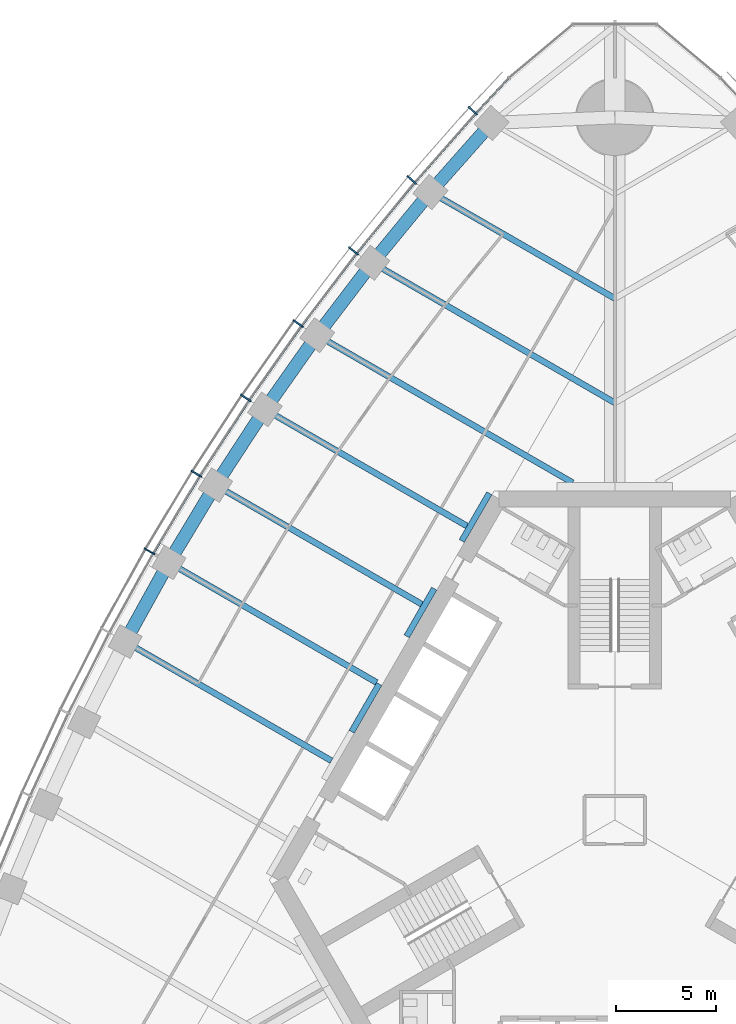
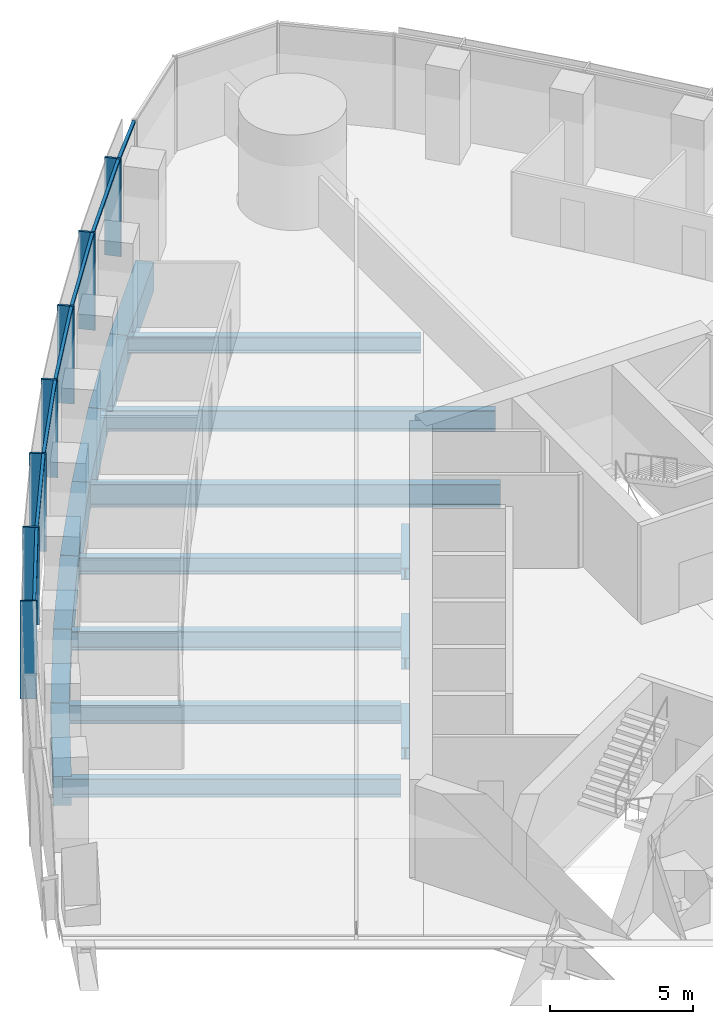
# One storey, part 4 of 21: 17 beams, 14 members, 1 element without a shape of its own.
"""IFC4 building model written with IfcOpenShell, lengths in metres."""

from ifc_helpers import new_model, si_unit, direction, frame, origin, origin_2d, place, context, subcontext, project, spatial, rectangle, i_section, extrude, material, material_profile, profile_set, type_object, element, aggregate, save


model = new_model("IFC4")

# Units and contexts
model_context = context("Model", 3, precision=1e-05, world=origin(), true_north=direction((0.0, 1.0)))
body_context = subcontext(model_context, "Body", "Model", "MODEL_VIEW")
ifc_project = project(units=[si_unit("LENGTHUNIT", "METRE"), si_unit("AREAUNIT", "SQUARE_METRE"), si_unit("VOLUMEUNIT", "CUBIC_METRE"), si_unit("PLANEANGLEUNIT", "RADIAN"), si_unit("MASSUNIT", "GRAM", prefix="KILO")], contexts=[model_context])

# Site, building, storey
site_placement = place(None, origin())
site = spatial("IfcSite", under=ifc_project, at=site_placement, CompositionType="ELEMENT")
building_placement = place(site_placement, origin())
building = spatial("IfcBuilding", under=site, at=building_placement, Name="Trefoil Bronze Tower", CompositionType="ELEMENT")
storey_placement = place(building_placement, frame((0.0, 0.0, 153.5)))
storey = spatial("IfcBuildingStorey", under=building, at=storey_placement, Name="L35", CompositionType="ELEMENT", Elevation=153.5)

# Curtain wall, members
ifc_material_1 = material(Name="Tinted solar-control glass", Category="glass")
curtain_wall_type = type_object("IfcCurtainWallType", Name="Bronze office curtain wall", PredefinedType="USERDEFINED", material=ifc_material_1)
curtain_wall_placement = place(storey_placement, origin())
curtain_wall = element("IfcCurtainWall", 1, at=curtain_wall_placement, inside=storey, type_object=curtain_wall_type, Name="CW-A L35 F3", ObjectType="CURTAIN WALL", PredefinedType="USERDEFINED")
ifc_material_2 = material(Name="Bronze-finish aluminium", Category="aluminium")
ifc_material_profile_1 = material_profile(ifc_material_2, rectangle(XDim=0.60009765625, YDim=0.080078125, at=origin_2d()), Name="CW-A mullion")
ifc_profile_set_1 = profile_set([ifc_material_profile_1], Name="Bronze-finish aluminium")
member_type_1 = type_object("IfcMemberType", Name="Bronze office curtain wall mullion", PredefinedType="MULLION", material=ifc_profile_set_1)
member_1_placement = place(storey_placement, frame((-7.070068359375, 35.332275390625, 0.0), z_axis=(0.0, 0.0, 1.0), x_axis=(0.740360700327, -0.672209813534, 0.0)))
member_1 = element("IfcMember", 2, at=member_1_placement, type_object=member_type_1, Name="CW-A L35 F3 mullion 2", PredefinedType="MULLION", context=body_context, shape_type="SweptSolid", body=[
    extrude(rectangle(XDim=0.60009765625, YDim=0.080078125, at=origin_2d()), origin(), (0.0, 0.0, 1.0), 4.179931640625),
])
member_2_placement = place(storey_placement, frame((-10.11474609375, 31.8828125, 0.0), z_axis=(0.0, 0.0, 1.0), x_axis=(0.761721651066, -0.647904411389, 0.0)))
member_2 = element("IfcMember", 3, at=member_2_placement, type_object=member_type_1, Name="CW-A L35 F3 mullion 3", PredefinedType="MULLION", context=body_context, shape_type="SweptSolid", body=[
    extrude(rectangle(XDim=0.60009765625, YDim=0.080078125, at=origin_2d()), origin(), (0.0, 0.0, 1.0), 4.179931640625),
])
member_3_placement = place(storey_placement, frame((-13.01220703125, 28.34716796875, 0.0), z_axis=(0.0, 0.0, 1.0), x_axis=(0.78487913905, -0.619648882098, 0.0)))
member_3 = element("IfcMember", 4, at=member_3_placement, type_object=member_type_1, Name="CW-A L35 F3 mullion 4", PredefinedType="MULLION", context=body_context, shape_type="SweptSolid", body=[
    extrude(rectangle(XDim=0.60009765625, YDim=0.080078125, at=origin_2d()), origin(), (0.0, 0.0, 1.0), 4.179931640625),
])
member_4_placement = place(storey_placement, frame((-15.764404296875, 24.7275390625, 0.0), z_axis=(0.0, 0.0, 1.0), x_axis=(0.806874522901, -0.590722865897, 0.0)))
member_4 = element("IfcMember", 5, at=member_4_placement, type_object=member_type_1, Name="CW-A L35 F3 mullion 5", PredefinedType="MULLION", context=body_context, shape_type="SweptSolid", body=[
    extrude(rectangle(XDim=0.60009765625, YDim=0.080078125, at=origin_2d()), origin(), (0.0, 0.0, 1.0), 4.179931640625),
])
member_5_placement = place(storey_placement, frame((-18.373046875, 21.025146484375, 0.0), z_axis=(0.0, 0.0, 1.0), x_axis=(0.827723925749, -0.561135547566, 0.0)))
member_5 = element("IfcMember", 6, at=member_5_placement, type_object=member_type_1, Name="CW-A L35 F3 mullion 6", PredefinedType="MULLION", context=body_context, shape_type="SweptSolid", body=[
    extrude(rectangle(XDim=0.60009765625, YDim=0.080078125, at=origin_2d()), origin(), (0.0, 0.0, 1.0), 4.179931640625),
])
member_6_placement = place(storey_placement, frame((-20.840087890625, 17.24072265625, 0.0), z_axis=(0.0, 0.0, 1.0), x_axis=(0.84743864936, -0.530893337283, 0.0)))
member_6 = element("IfcMember", 7, at=member_6_placement, type_object=member_type_1, Name="CW-A L35 F3 mullion 7", PredefinedType="MULLION", context=body_context, shape_type="SweptSolid", body=[
    extrude(rectangle(XDim=0.60009765625, YDim=0.080078125, at=origin_2d()), origin(), (0.0, 0.0, 1.0), 4.179931640625),
])
member_7_placement = place(storey_placement, frame((-23.166015625, 13.374755859375, 0.0), z_axis=(0.0, 0.0, 1.0), x_axis=(0.866025403784, -0.5, 0.0)))
member_7 = element("IfcMember", 8, at=member_7_placement, type_object=member_type_1, Name="CW-A L35 F3 mullion 8", PredefinedType="MULLION", context=body_context, shape_type="SweptSolid", body=[
    extrude(rectangle(XDim=0.60009765625, YDim=0.080078125, at=origin_2d()), origin(), (0.0, 0.0, 1.0), 4.179931640625),
])
ifc_material_3 = material(Name="Bronze-finish aluminium", Category="aluminium")
ifc_material_profile_2 = material_profile(ifc_material_3, rectangle(XDim=0.1201171875, YDim=0.10009765625, at=origin_2d()), Name="CW-A transom")
ifc_profile_set_2 = profile_set([ifc_material_profile_2], Name="Bronze-finish aluminium")
member_type_2 = type_object("IfcMemberType", Name="Bronze office curtain wall transom", PredefinedType="USERDEFINED", material=ifc_profile_set_2)
member_8_placement = place(storey_placement, frame((-5.296630859375, 36.9384765625, 4.1298828125), z_axis=(-0.682489214428, -0.730895664366, 0.0), x_axis=(0.730895664366, -0.682489214428, 0.0)))
member_8 = element("IfcMember", 9, at=member_8_placement, type_object=member_type_2, Name="CW-A L35 F3 transom 1", ObjectType="TRANSOM", PredefinedType="USERDEFINED", context=body_context, shape_type="SweptSolid", body=[
    extrude(rectangle(XDim=0.1201171875, YDim=0.10009765625, at=origin_2d()), origin(), (0.0, 0.0, 1.0), 2.340087890625),
])
member_9_placement = place(storey_placement, frame((-6.949462890625, 35.166748046875, 4.1298828125), z_axis=(-0.66173618877, -0.749736764786, 0.0), x_axis=(0.749736764786, -0.66173618877, 0.0)))
member_9 = element("IfcMember", 10, at=member_9_placement, type_object=member_type_2, Name="CW-A L35 F3 transom 2", ObjectType="TRANSOM", PredefinedType="USERDEFINED", context=body_context, shape_type="SweptSolid", body=[
    extrude(rectangle(XDim=0.1201171875, YDim=0.10009765625, at=origin_2d()), origin(), (0.0, 0.0, 1.0), 4.510986328125),
])
member_10_placement = place(storey_placement, frame((-9.98876953125, 31.720947265625, 4.1298828125), z_axis=(-0.633848872297, -0.773456919995, 0.0), x_axis=(0.773456919995, -0.633848872297, 0.0)))
member_10 = element("IfcMember", 11, at=member_10_placement, type_object=member_type_2, Name="CW-A L35 F3 transom 3", ObjectType="TRANSOM", PredefinedType="USERDEFINED", context=body_context, shape_type="SweptSolid", body=[
    extrude(rectangle(XDim=0.1201171875, YDim=0.10009765625, at=origin_2d()), origin(), (0.0, 0.0, 1.0), 4.480224609375),
])
member_11_placement = place(storey_placement, frame((-12.880615234375, 28.18994140625, 4.1298828125), z_axis=(-0.605229114572, -0.796051329296, 0.0), x_axis=(0.796051329296, -0.605229114572, 0.0)))
member_11 = element("IfcMember", 12, at=member_11_placement, type_object=member_type_2, Name="CW-A L35 F3 transom 4", ObjectType="TRANSOM", PredefinedType="USERDEFINED", context=body_context, shape_type="SweptSolid", body=[
    extrude(rectangle(XDim=0.1201171875, YDim=0.10009765625, at=origin_2d()), origin(), (0.0, 0.0, 1.0), 4.456298828125),
])
member_12_placement = place(storey_placement, frame((-15.626953125, 24.5751953125, 4.1298828125), z_axis=(-0.576017858824, -0.817437108478, 0.0), x_axis=(0.817437108478, -0.576017858824, 0.0)))
member_12 = element("IfcMember", 13, at=member_12_placement, type_object=member_type_2, Name="CW-A L35 F3 transom 5", ObjectType="TRANSOM", PredefinedType="USERDEFINED", context=body_context, shape_type="SweptSolid", body=[
    extrude(rectangle(XDim=0.1201171875, YDim=0.10009765625, at=origin_2d()), origin(), (0.0, 0.0, 1.0), 4.4384765625),
])
member_13_placement = place(storey_placement, frame((-18.23046875, 20.877685546875, 4.1298828125), z_axis=(-0.546079336226, -0.837733465099, 0.0), x_axis=(0.837733465099, -0.546079336226, 0.0)))
member_13 = element("IfcMember", 14, at=member_13_placement, type_object=member_type_2, Name="CW-A L35 F3 transom 6", ObjectType="TRANSOM", PredefinedType="USERDEFINED", context=body_context, shape_type="SweptSolid", body=[
    extrude(rectangle(XDim=0.1201171875, YDim=0.10009765625, at=origin_2d()), origin(), (0.0, 0.0, 1.0), 4.426513671875),
])
member_14_placement = place(storey_placement, frame((-20.692138671875, 17.0986328125, 4.1298828125), z_axis=(-0.515526794174, -0.856873458854, 0.0), x_axis=(0.856873458854, -0.515526794174, 0.0)))
member_14 = element("IfcMember", 15, at=member_14_placement, type_object=member_type_2, Name="CW-A L35 F3 transom 7", ObjectType="TRANSOM", PredefinedType="USERDEFINED", context=body_context, shape_type="SweptSolid", body=[
    extrude(rectangle(XDim=0.1201171875, YDim=0.10009765625, at=origin_2d()), origin(), (0.0, 0.0, 1.0), 4.4208984375),
])
aggregate(curtain_wall, [member_1, member_2, member_3, member_4, member_5, member_6, member_7, member_8, member_9, member_10, member_11, member_12, member_13, member_14])

# Beams
ifc_material_4 = material(Name="Steel C355", Category="steel")
ifc_material_profile_3 = material_profile(ifc_material_4, i_section(OverallWidth=0.300048828125, OverallDepth=0.5, WebThickness=0.014404296875, FlangeThickness=0.028076171875, FilletRadius=0.027099609375, at=origin_2d()), Name="HEB 500")
ifc_profile_set_3 = profile_set([ifc_material_profile_3], Name="Steel C355")
beam_type_1 = type_object("IfcBeamType", Name="Core seat beam HEB 500", PredefinedType="BEAM", material=ifc_profile_set_3)
for number, where, z_axis, x_axis, name in (
    (16, (-6.249755859375, 16.27490234375, -0.449951171875), (-0.500035825175, -0.866004719122, 0.0), (0.866004719122, -0.500035825175, 0.0), "Core seat beam F3/-2 L35"),
    (17, (-8.9921875, 11.52490234375, -0.449951171875), (-0.500035825175, -0.866004719122, 0.0), (0.866004719122, -0.500035825175, 0.0), "Core seat beam F3/-1 L35"),
    (18, (-11.734619140625, 6.77490234375, -0.449951171875), (-0.500035825175, -0.866004719122, 0.0), (0.866004719122, -0.500035825175, 0.0), "Core seat beam F3/+0 L35"),
):
    element("IfcBeam", number, at=place(storey_placement, frame(where, z_axis=z_axis, x_axis=x_axis)), inside=storey, type_object=beam_type_1, Name=name, PredefinedType="BEAM", context=body_context, shape_type="SweptSolid", body=[
        extrude(i_section(OverallWidth=0.300048828125, OverallDepth=0.5, WebThickness=0.014404296875, FlangeThickness=0.028076171875, FilletRadius=0.027099609375, at=origin_2d()), origin(), (0.0, 0.0, 1.0), 2.742431640625),
    ])
ifc_material_5 = material(Name="Steel C355", Category="steel")
ifc_material_profile_4 = material_profile(ifc_material_5, i_section(OverallWidth=0.300048828125, OverallDepth=1.0, WebThickness=0.01904296875, FlangeThickness=0.035888671875, FilletRadius=0.030029296875, at=origin_2d()), Name="HEB 1000")
ifc_profile_set_4 = profile_set([ifc_material_profile_4], Name="Steel C355")
beam_type_2 = type_object("IfcBeamType", Name="Floor beam HEB 1000", PredefinedType="BEAM", material=ifc_profile_set_4)
beam_1_placement = place(storey_placement, frame((-14.825439453125, 24.14794921875, -0.699951171875), z_axis=(0.866027342682, -0.499996641717, 0.0), x_axis=(0.499996641717, 0.866027342682, 0.0)))
element("IfcBeam", 19, at=beam_1_placement, inside=storey, type_object=beam_type_2, Name="Floor beam F3/-3 L35", PredefinedType="BEAM", context=body_context, shape_type="SweptSolid", body=[
    extrude(i_section(OverallWidth=0.300048828125, OverallDepth=1.0, WebThickness=0.01904296875, FlangeThickness=0.035888671875, FilletRadius=0.030029296875, at=origin_2d()), origin(), (0.0, 0.0, 1.0), 14.69580078125),
])
ifc_material_6 = material(Name="Steel C355", Category="steel")
ifc_material_profile_5 = material_profile(ifc_material_6, i_section(OverallWidth=0.300048828125, OverallDepth=0.699951171875, WebThickness=0.01708984375, FlangeThickness=0.031982421875, FilletRadius=0.027099609375, at=origin_2d()), Name="HEB 700")
ifc_profile_set_5 = profile_set([ifc_material_profile_5], Name="Steel C355")
beam_type_3 = type_object("IfcBeamType", Name="Floor beam HEB 700", PredefinedType="BEAM", material=ifc_profile_set_5)
beam_2_placement = place(storey_placement, frame((-9.181884765625, 31.281982421875, -0.550048828125), z_axis=(0.866021079084, -0.500007490527, 0.0), x_axis=(0.500007490527, 0.866021079084, 0.0)))
element("IfcBeam", 20, at=beam_2_placement, inside=storey, type_object=beam_type_3, Name="Floor beam F3/-5 L35", PredefinedType="BEAM", context=body_context, shape_type="SweptSolid", body=[
    extrude(i_section(OverallWidth=0.300048828125, OverallDepth=0.699951171875, WebThickness=0.01708984375, FlangeThickness=0.031982421875, FilletRadius=0.027099609375, at=origin_2d()), origin(), (0.0, 0.0, 1.0), 10.602294921875),
])
beam_3_placement = place(storey_placement, frame((-17.43017578125, 20.45556640625, -0.550048828125), z_axis=(0.866030626868, -0.499990953245, 0.0), x_axis=(0.499990953245, 0.866030626868, 0.0)))
element("IfcBeam", 21, at=beam_3_placement, inside=storey, type_object=beam_type_3, Name="Floor beam F3/-2 L35", PredefinedType="BEAM", context=body_context, shape_type="SweptSolid", body=[
    extrude(i_section(OverallWidth=0.300048828125, OverallDepth=0.699951171875, WebThickness=0.01708984375, FlangeThickness=0.031982421875, FilletRadius=0.027099609375, at=origin_2d()), origin(), (0.0, 0.0, 1.0), 11.622802734375),
])
ifc_material_7 = material(Name="Steel C355", Category="steel")
ifc_material_profile_6 = material_profile(ifc_material_7, i_section(OverallWidth=0.300048828125, OverallDepth=0.800048828125, WebThickness=0.017578125, FlangeThickness=0.032958984375, FilletRadius=0.030029296875, at=origin_2d()), Name="HEB 800")
ifc_profile_set_6 = profile_set([ifc_material_profile_6], Name="Steel C355")
beam_type_4 = type_object("IfcBeamType", Name="Floor beam HEB 800", PredefinedType="BEAM", material=ifc_profile_set_6)
beam_4_placement = place(storey_placement, frame((-19.892578125, 16.68115234375, -0.60009765625), z_axis=(0.866024236736, -0.500002021381, 0.0), x_axis=(0.500002021381, 0.866024236736, 0.0)))
element("IfcBeam", 22, at=beam_4_placement, inside=storey, type_object=beam_type_4, Name="Floor beam F3/-1 L35", PredefinedType="BEAM", context=body_context, shape_type="SweptSolid", body=[
    extrude(i_section(OverallWidth=0.300048828125, OverallDepth=0.800048828125, WebThickness=0.017578125, FlangeThickness=0.032958984375, FilletRadius=0.030029296875, at=origin_2d()), origin(), (0.0, 0.0, 1.0), 11.8681640625),
])
beam_5_placement = place(storey_placement, frame((-22.21337890625, 12.824951171875, -0.60009765625), z_axis=(0.866028062731, -0.499995394541, 0.0), x_axis=(0.499995394541, 0.866028062731, 0.0)))
element("IfcBeam", 23, at=beam_5_placement, inside=storey, type_object=beam_type_4, Name="Floor beam F3/+0 L35", PredefinedType="BEAM", context=body_context, shape_type="SweptSolid", body=[
    extrude(i_section(OverallWidth=0.300048828125, OverallDepth=0.800048828125, WebThickness=0.017578125, FlangeThickness=0.032958984375, FilletRadius=0.030029296875, at=origin_2d()), origin(), (0.0, 0.0, 1.0), 11.94970703125),
])
beam_6_placement = place(storey_placement, frame((-24.392578125, 8.886962890625, -0.60009765625), z_axis=(0.866024236736, -0.500002021381, 0.0), x_axis=(0.500002021381, 0.866024236736, 0.0)))
element("IfcBeam", 24, at=beam_6_placement, inside=storey, type_object=beam_type_4, Name="Floor beam F3/+1 L35", PredefinedType="BEAM", context=body_context, shape_type="SweptSolid", body=[
    extrude(i_section(OverallWidth=0.300048828125, OverallDepth=0.800048828125, WebThickness=0.017578125, FlangeThickness=0.032958984375, FilletRadius=0.030029296875, at=origin_2d()), origin(), (0.0, 0.0, 1.0), 11.8681640625),
])
ifc_material_8 = material(Name="Steel C355", Category="steel")
ifc_material_profile_7 = material_profile(ifc_material_8, i_section(OverallWidth=0.300048828125, OverallDepth=0.89990234375, WebThickness=0.0185546875, FlangeThickness=0.034912109375, FilletRadius=0.030029296875, at=origin_2d()), Name="HEB 900")
ifc_profile_set_7 = profile_set([ifc_material_profile_7], Name="Steel C355")
beam_type_5 = type_object("IfcBeamType", Name="Floor beam HEB 900", PredefinedType="BEAM", material=ifc_profile_set_7)
beam_7_placement = place(storey_placement, frame((-12.07666015625, 27.757080078125, -0.64990234375), z_axis=(0.866026983775, -0.499997263366, 0.0), x_axis=(0.499997263366, 0.866026983775, 0.0)))
element("IfcBeam", 25, at=beam_7_placement, inside=storey, type_object=beam_type_5, Name="Floor beam F3/-4 L35", PredefinedType="BEAM", context=body_context, shape_type="SweptSolid", body=[
    extrude(i_section(OverallWidth=0.300048828125, OverallDepth=0.89990234375, WebThickness=0.0185546875, FlangeThickness=0.034912109375, FilletRadius=0.030029296875, at=origin_2d()), origin(), (0.0, 0.0, 1.0), 13.94482421875),
])
ifc_material_9 = material(Name="Concrete B80", Category="concrete")
ifc_material_profile_8 = material_profile(ifc_material_9, rectangle(XDim=0.64990234375, YDim=1.25, at=origin_2d()), Name="RC 650x1250")
ifc_profile_set_8 = profile_set([ifc_material_profile_8], Name="Concrete B80")
beam_type_6 = type_object("IfcBeamType", Name="Spandrel beam RC 650x1250", PredefinedType="SPANDREL", material=ifc_profile_set_8)
beam_8_placement = place(storey_placement, frame((-6.13916015625, 34.72119140625, -0.824951171875), z_axis=(-0.662616326239, -0.748959013699, 0.0), x_axis=(0.748959013699, -0.662616326239, 0.0)))
element("IfcBeam", 26, at=beam_8_placement, inside=storey, type_object=beam_type_6, Name="Spandrel F3.2 L35", PredefinedType="SPANDREL", context=body_context, shape_type="SweptSolid", body=[
    extrude(rectangle(XDim=0.64990234375, YDim=1.25, at=origin_2d()), origin(), (0.0, 0.0, 1.0), 4.592041015625),
])
beam_9_placement = place(storey_placement, frame((-9.181884765625, 31.281982421875, -0.824951171875), z_axis=(-0.634650386838, -0.772799383079, 0.0), x_axis=(0.772799383079, -0.634650386838, 0.0)))
element("IfcBeam", 27, at=beam_9_placement, inside=storey, type_object=beam_type_6, Name="Spandrel F3.3 L35", PredefinedType="SPANDREL", context=body_context, shape_type="SweptSolid", body=[
    extrude(rectangle(XDim=0.64990234375, YDim=1.25, at=origin_2d()), origin(), (0.0, 0.0, 1.0), 4.561279296875),
])
beam_10_placement = place(storey_placement, frame((-12.07666015625, 27.757080078125, -0.824951171875), z_axis=(-0.605898901788, -0.795541652468, 0.0), x_axis=(0.795541652468, -0.605898901788, 0.0)))
element("IfcBeam", 28, at=beam_10_placement, inside=storey, type_object=beam_type_6, Name="Spandrel F3.4 L35", PredefinedType="SPANDREL", context=body_context, shape_type="SweptSolid", body=[
    extrude(rectangle(XDim=0.64990234375, YDim=1.25, at=origin_2d()), origin(), (0.0, 0.0, 1.0), 4.53662109375),
])
beam_11_placement = place(storey_placement, frame((-14.825439453125, 24.14794921875, -0.824951171875), z_axis=(-0.576439228712, -0.81714002203, 0.0), x_axis=(0.81714002203, -0.576439228712, 0.0)))
element("IfcBeam", 29, at=beam_11_placement, inside=storey, type_object=beam_type_6, Name="Spandrel F3.5 L35", PredefinedType="SPANDREL", context=body_context, shape_type="SweptSolid", body=[
    extrude(rectangle(XDim=0.64990234375, YDim=1.25, at=origin_2d()), origin(), (0.0, 0.0, 1.0), 4.5185546875),
])
beam_12_placement = place(storey_placement, frame((-17.43017578125, 20.45556640625, -0.824951171875), z_axis=(-0.546396670296, -0.83752652417, 0.0), x_axis=(0.83752652417, -0.546396670296, 0.0)))
element("IfcBeam", 30, at=beam_12_placement, inside=storey, type_object=beam_type_6, Name="Spandrel F3.6 L35", PredefinedType="SPANDREL", context=body_context, shape_type="SweptSolid", body=[
    extrude(rectangle(XDim=0.64990234375, YDim=1.25, at=origin_2d()), origin(), (0.0, 0.0, 1.0), 4.506591796875),
])
for number, where, z_axis, x_axis, name in (
    (31, (-19.892578125, 16.68115234375, -0.824951171875), (-0.515651979972, -0.856798129988, 0.0), (0.856798129988, -0.515651979972, 0.0), "Spandrel F3.7 L35"),
    (32, (-22.21337890625, 12.824951171875, -0.824951171875), (-0.484186866546, -0.874964615436, 0.0), (0.874964615436, -0.484186866546, 0.0), "Spandrel F3.8 L35"),
):
    element("IfcBeam", number, at=place(storey_placement, frame(where, z_axis=z_axis, x_axis=x_axis)), inside=storey, type_object=beam_type_6, Name=name, PredefinedType="SPANDREL", context=body_context, shape_type="SweptSolid", body=[
        extrude(rectangle(XDim=0.64990234375, YDim=1.25, at=origin_2d()), origin(), (0.0, 0.0, 1.0), 4.500732421875),
    ])

save(model, "model.ifc")
